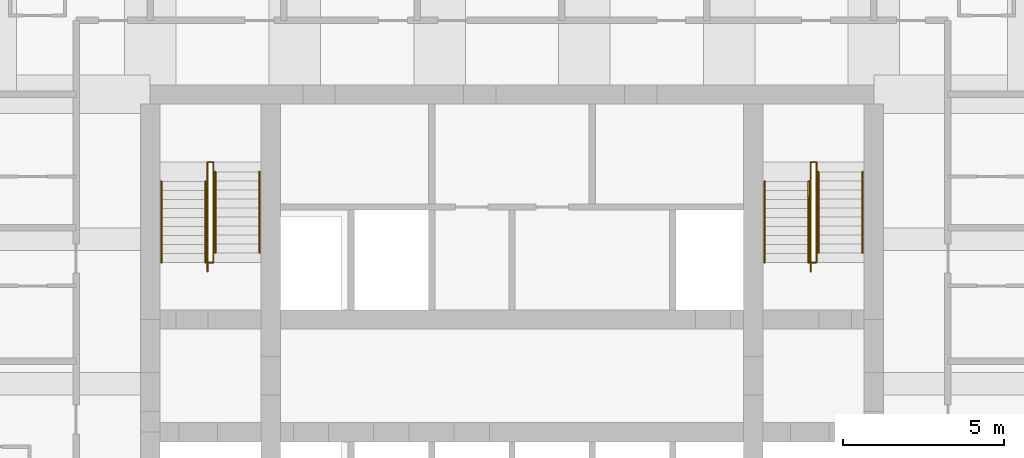
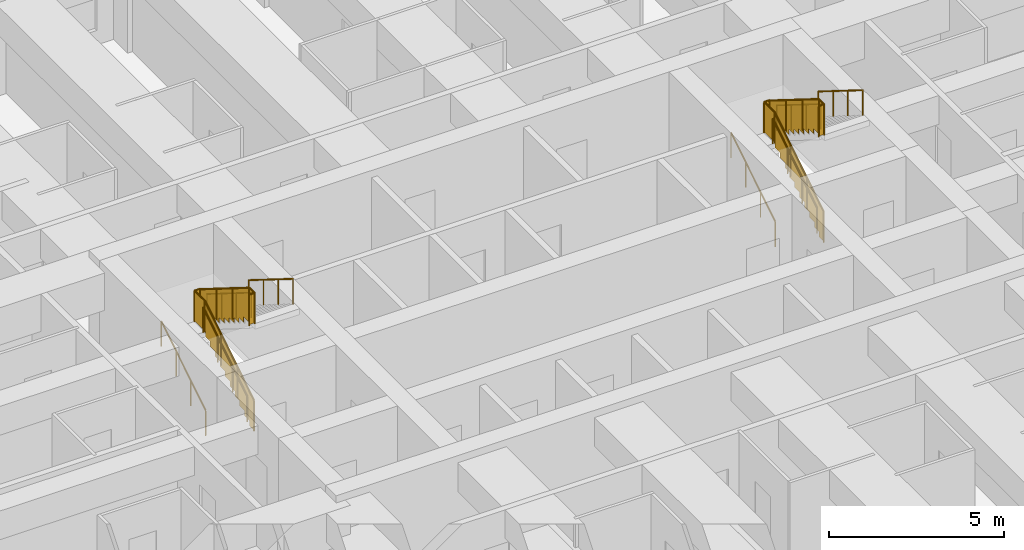
# One storey, part 8 of 8: 12 railings.
"""IFC4 building model written with IfcOpenShell, lengths in metres."""

from ifc_helpers import new_model, si_unit, direction, frame, origin, origin_2d, place, context, subcontext, project, spatial, polyline, circle, outline, extrude, material, type_object, element, save


model = new_model("IFC4")

# Units and contexts
model_context = context("Model", 3, precision=1e-05, world=origin(), true_north=direction((0.0, 1.0)))
body_context = subcontext(model_context, "Body", "Model", "MODEL_VIEW")
ifc_project = project(units=[si_unit("LENGTHUNIT", "METRE"), si_unit("AREAUNIT", "SQUARE_METRE"), si_unit("VOLUMEUNIT", "CUBIC_METRE"), si_unit("PLANEANGLEUNIT", "RADIAN"), si_unit("MASSUNIT", "GRAM", prefix="KILO")], contexts=[model_context])

# Site, building, storey
site_placement = place(None, origin())
site = spatial("IfcSite", under=ifc_project, at=site_placement, CompositionType="ELEMENT")
building_placement = place(site_placement, origin())
building = spatial("IfcBuilding", under=site, at=building_placement, Name="Kilele Tower Hotel", CompositionType="ELEMENT")
storey_placement = place(building_placement, frame((0.0, 0.0, 40.199951171875)))
storey = spatial("IfcBuildingStorey", under=building, at=storey_placement, Name="L08", CompositionType="ELEMENT", Elevation=40.199951171875)

# Railings
ifc_material_1 = material(Name="Steel handrail", Category="steel")
railing_type_1 = type_object("IfcRailingType", Name="Handrail 900", PredefinedType="HANDRAIL", material=ifc_material_1)
for number, where, name in (
    (1, (13.85009765625, 21.77490234375, 0.175048828125), "Handrail ST1 flight 1"),
    (2, (15.22509765625, 21.77490234375, 0.175048828125), "Handrail ST1 flight 1"),
):
    element("IfcRailing", number, at=place(storey_placement, frame(where)), inside=storey, type_object=railing_type_1, Name=name, PredefinedType="HANDRAIL", context=body_context, shape_type="SweptSolid", body=[
        extrude(circle(Radius=0.02490234375, at=origin_2d()), frame((0.0, 0.0, 0.875), z_axis=(0.0, 0.848007534815, 0.529984170421), x_axis=(-1.0, 0.0, 0.0)), (0.0, 0.0, 1.0), 2.9716796875),
        extrude(circle(Radius=0.02001953125, at=origin_2d()), origin(), (0.0, 0.0, 1.0), 0.849853515625),
        extrude(circle(Radius=0.02001953125, at=origin_2d()), frame((0.0, 0.840087890625, 0.52490234375)), (0.0, 0.0, 1.0), 0.849853515625),
        extrude(circle(Radius=0.02001953125, at=origin_2d()), frame((0.0, 1.679931640625, 1.050048828125)), (0.0, 0.0, 1.0), 0.849853515625),
        extrude(circle(Radius=0.02001953125, at=origin_2d()), frame((0.0, 2.52001953125, 1.574951171875)), (0.0, 0.0, 1.0), 0.849853515625),
    ])
for number, where, name in (
    (3, (15.52490234375, 24.594970703125, 1.925048828125), "Handrail ST1 flight 2"),
    (4, (16.89990234375, 24.594970703125, 1.925048828125), "Handrail ST1 flight 2"),
):
    element("IfcRailing", number, at=place(storey_placement, frame(where)), inside=storey, type_object=railing_type_1, Name=name, PredefinedType="HANDRAIL", context=body_context, shape_type="SweptSolid", body=[
        extrude(circle(Radius=0.02490234375, at=origin_2d()), frame((0.0, 0.0, 0.875), z_axis=(0.0, -0.848007534815, 0.529984170421), x_axis=(1.0, 0.0, 0.0)), (0.0, 0.0, 1.0), 2.9716796875),
        extrude(circle(Radius=0.02001953125, at=origin_2d()), origin(), (0.0, 0.0, 1.0), 0.849853515625),
        extrude(circle(Radius=0.02001953125, at=origin_2d()), frame((0.0, -0.840087890625, 0.52490234375)), (0.0, 0.0, 1.0), 0.849853515625),
        extrude(circle(Radius=0.02001953125, at=origin_2d()), frame((0.0, -1.679931640625, 1.050048828125)), (0.0, 0.0, 1.0), 0.849853515625),
        extrude(circle(Radius=0.02001953125, at=origin_2d()), frame((0.0, -2.52001953125, 1.574951171875)), (0.0, 0.0, 1.0), 0.849853515625),
    ])
for number, where, name in (
    (5, (32.60009765625, 21.77490234375, 0.175048828125), "Handrail ST2 flight 1"),
    (6, (33.97509765625, 21.77490234375, 0.175048828125), "Handrail ST2 flight 1"),
):
    element("IfcRailing", number, at=place(storey_placement, frame(where)), inside=storey, type_object=railing_type_1, Name=name, PredefinedType="HANDRAIL", context=body_context, shape_type="SweptSolid", body=[
        extrude(circle(Radius=0.02490234375, at=origin_2d()), frame((0.0, 0.0, 0.875), z_axis=(0.0, 0.848007534815, 0.529984170421), x_axis=(-1.0, 0.0, 0.0)), (0.0, 0.0, 1.0), 2.9716796875),
        extrude(circle(Radius=0.02001953125, at=origin_2d()), origin(), (0.0, 0.0, 1.0), 0.849853515625),
        extrude(circle(Radius=0.02001953125, at=origin_2d()), frame((0.0, 0.840087890625, 0.52490234375)), (0.0, 0.0, 1.0), 0.849853515625),
        extrude(circle(Radius=0.02001953125, at=origin_2d()), frame((0.0, 1.679931640625, 1.050048828125)), (0.0, 0.0, 1.0), 0.849853515625),
        extrude(circle(Radius=0.02001953125, at=origin_2d()), frame((0.0, 2.52001953125, 1.574951171875)), (0.0, 0.0, 1.0), 0.849853515625),
    ])
for number, where, name in (
    (7, (34.27490234375, 24.594970703125, 1.925048828125), "Handrail ST2 flight 2"),
    (8, (35.64990234375, 24.594970703125, 1.925048828125), "Handrail ST2 flight 2"),
):
    element("IfcRailing", number, at=place(storey_placement, frame(where)), inside=storey, type_object=railing_type_1, Name=name, PredefinedType="HANDRAIL", context=body_context, shape_type="SweptSolid", body=[
        extrude(circle(Radius=0.02490234375, at=origin_2d()), frame((0.0, 0.0, 0.875), z_axis=(0.0, -0.848007534815, 0.529984170421), x_axis=(1.0, 0.0, 0.0)), (0.0, 0.0, 1.0), 2.9716796875),
        extrude(circle(Radius=0.02001953125, at=origin_2d()), origin(), (0.0, 0.0, 1.0), 0.849853515625),
        extrude(circle(Radius=0.02001953125, at=origin_2d()), frame((0.0, -0.840087890625, 0.52490234375)), (0.0, 0.0, 1.0), 0.849853515625),
        extrude(circle(Radius=0.02001953125, at=origin_2d()), frame((0.0, -1.679931640625, 1.050048828125)), (0.0, 0.0, 1.0), 0.849853515625),
        extrude(circle(Radius=0.02001953125, at=origin_2d()), frame((0.0, -2.52001953125, 1.574951171875)), (0.0, 0.0, 1.0), 0.849853515625),
    ])
ifc_material_2 = material(Name="Steel guard", Category="steel")
railing_type_2 = type_object("IfcRailingType", Name="Stair guard 1100", PredefinedType="GUARDRAIL", material=ifc_material_2)
railing_1_placement = place(storey_placement, frame((15.284912109375, 21.4951171875, 0.0)))
element("IfcRailing", 9, at=railing_1_placement, inside=storey, type_object=railing_type_2, Name="Stair well guard ST1 flight 1", PredefinedType="GUARDRAIL", context=body_context, shape_type="SweptSolid", body=[
    extrude(circle(Radius=0.02490234375, at=origin_2d()), frame((0.0, 0.0, 1.0751953125), z_axis=(0.0, 0.847981687118, 0.530025526095), x_axis=(-1.0, 0.0, 0.0)), (0.0, 0.0, 1.0), 3.3017578125),
    extrude(circle(Radius=0.02490234375, at=origin_2d()), frame((0.0, 2.7998046875, 2.8251953125), z_axis=(0.0, 1.0, 0.0), x_axis=(-1.0, 0.0, 0.0)), (0.0, 0.0, 1.0), 0.60009765625),
    extrude(circle(Radius=0.02490234375, at=origin_2d()), frame((0.0, 3.39990234375, 2.8251953125), z_axis=(1.0, 0.0, 0.0), x_axis=(0.0, 1.0, 0.0)), (0.0, 0.0, 1.0), 0.18017578125),
    extrude(circle(Radius=0.02490234375, at=origin_2d()), origin(), (0.0, 0.0, 1.0), 1.050048828125),
    extrude(circle(Radius=0.02490234375, at=origin_2d()), frame((0.0, 0.933349609375, 0.583251953125)), (0.0, 0.0, 1.0), 1.050048828125),
    extrude(circle(Radius=0.02490234375, at=origin_2d()), frame((0.0, 1.866455078125, 1.166748046875)), (0.0, 0.0, 1.0), 1.050048828125),
    extrude(circle(Radius=0.02490234375, at=origin_2d()), frame((0.0, 2.7998046875, 1.75)), (0.0, 0.0, 1.0), 1.050048828125),
    extrude(circle(Radius=0.02490234375, at=origin_2d()), frame((0.0, 3.39990234375, 1.75)), (0.0, 0.0, 1.0), 1.050048828125),
    extrude(circle(Radius=0.02490234375, at=origin_2d()), frame((0.18017578125, 3.39990234375, 1.75)), (0.0, 0.0, 1.0), 1.050048828125),
    extrude(outline(polyline([(0.012451171875, 0.030029296875), (0.25, 0.030029296875), (0.25, 0.205078125), (0.530029296875, 0.205078125), (0.530029296875, 0.380126953125), (0.809814453125, 0.380126953125), (0.809814453125, 0.554931640625), (1.08984375, 0.554931640625), (1.08984375, 0.72998046875), (1.369873046875, 0.72998046875), (1.369873046875, 0.905029296875), (1.64990234375, 0.905029296875), (1.64990234375, 1.080078125), (1.929931640625, 1.080078125), (1.929931640625, 1.255126953125), (2.209716796875, 1.255126953125), (2.209716796875, 1.429931640625), (2.48974609375, 1.429931640625), (2.48974609375, 1.60498046875), (2.769775390625, 1.60498046875), (2.769775390625, 1.780029296875), (2.787353515625, 1.780029296875), (2.787353515625, 2.787841796875), (0.012451171875, 1.053466796875), (0.012451171875, 0.030029296875)])), frame((-0.005859375, 0.0, 0.0), z_axis=(1.0, 0.0, 0.0), x_axis=(0.0, 1.0, 0.0)), (0.0, 0.0, 1.0), 0.011962890625),
    extrude(outline(polyline([(0.012451171875, 0.030029296875), (0.587646484375, 0.030029296875), (0.587646484375, 1.050048828125), (0.012451171875, 1.050048828125), (0.012451171875, 0.030029296875)])), frame((-0.005859375, 2.7998046875, 1.75), z_axis=(1.0, 0.0, 0.0), x_axis=(0.0, 1.0, 0.0)), (0.0, 0.0, 1.0), 0.011962890625),
    extrude(outline(polyline([(0.012451171875, 0.030029296875), (0.18017578125, 0.030029296875), (0.18017578125, 1.050048828125), (0.012451171875, 1.050048828125), (0.012451171875, 0.030029296875)])), frame((0.0, 3.40576171875, 1.75), z_axis=(0.0, -1.0, 0.0), x_axis=(1.0, 0.0, 0.0)), (0.0, 0.0, 1.0), 0.011962890625),
])
railing_2_placement = place(storey_placement, frame((15.465087890625, 24.89501953125, 1.75)))
element("IfcRailing", 10, at=railing_2_placement, inside=storey, type_object=railing_type_2, Name="Stair well guard ST1 flight 2", PredefinedType="GUARDRAIL", context=body_context, shape_type="SweptSolid", body=[
    extrude(circle(Radius=0.02490234375, at=origin_2d()), frame((0.0, 0.0, 1.0751953125), z_axis=(0.0, -1.0, 0.0), x_axis=(1.0, 0.0, 0.0)), (0.0, 0.0, 1.0), 0.02001953125),
    extrude(circle(Radius=0.02490234375, at=origin_2d()), frame((0.0, -0.02001953125, 1.0751953125), z_axis=(0.0, -0.848002457836, 0.529992293815), x_axis=(1.0, 0.0, 0.0)), (0.0, 0.0, 1.0), 3.302001953125),
    extrude(circle(Radius=0.02490234375, at=origin_2d()), frame((0.0, -2.820068359375, 2.8251953125), z_axis=(0.0, -1.0, 0.0), x_axis=(1.0, 0.0, 0.0)), (0.0, 0.0, 1.0), 0.300048828125),
    extrude(circle(Radius=0.02490234375, at=origin_2d()), frame((0.0, -3.1201171875, 2.8251953125), z_axis=(-1.0, 0.0, 0.0), x_axis=(0.0, -1.0, 0.0)), (0.0, 0.0, 1.0), 0.18017578125),
    extrude(circle(Radius=0.02490234375, at=origin_2d()), origin(), (0.0, 0.0, 1.0), 1.050048828125),
    extrude(circle(Radius=0.02490234375, at=origin_2d()), frame((0.0, -0.02001953125, 0.0)), (0.0, 0.0, 1.0), 1.050048828125),
    extrude(circle(Radius=0.02490234375, at=origin_2d()), frame((0.0, -0.953369140625, 0.583251953125)), (0.0, 0.0, 1.0), 1.050048828125),
    extrude(circle(Radius=0.02490234375, at=origin_2d()), frame((0.0, -1.88671875, 1.166748046875)), (0.0, 0.0, 1.0), 1.050048828125),
    extrude(circle(Radius=0.02490234375, at=origin_2d()), frame((0.0, -2.820068359375, 1.75)), (0.0, 0.0, 1.0), 1.050048828125),
    extrude(circle(Radius=0.02490234375, at=origin_2d()), frame((0.0, -3.1201171875, 1.75)), (0.0, 0.0, 1.0), 1.050048828125),
    extrude(circle(Radius=0.02490234375, at=origin_2d()), frame((-0.18017578125, -3.1201171875, 1.75)), (0.0, 0.0, 1.0), 1.050048828125),
    extrude(outline(polyline([(0.012451171875, 0.030029296875), (0.25, 0.030029296875), (0.25, 0.205078125), (0.530029296875, 0.205078125), (0.530029296875, 0.380126953125), (0.81005859375, 0.380126953125), (0.81005859375, 0.554931640625), (1.090087890625, 0.554931640625), (1.090087890625, 0.72998046875), (1.3701171875, 0.72998046875), (1.3701171875, 0.905029296875), (1.64990234375, 0.905029296875), (1.64990234375, 1.080078125), (1.929931640625, 1.080078125), (1.929931640625, 1.255126953125), (2.2099609375, 1.255126953125), (2.2099609375, 1.429931640625), (2.489990234375, 1.429931640625), (2.489990234375, 1.60498046875), (2.77001953125, 1.60498046875), (2.77001953125, 1.780029296875), (2.78759765625, 1.780029296875), (2.78759765625, 2.787841796875), (0.012451171875, 1.053466796875), (0.012451171875, 0.030029296875)])), frame((0.005859375, -0.02001953125, 0.0), z_axis=(-1.0, 0.0, 0.0), x_axis=(0.0, -1.0, 0.0)), (0.0, 0.0, 1.0), 0.011962890625),
    extrude(outline(polyline([(0.012451171875, 0.030029296875), (0.28759765625, 0.030029296875), (0.28759765625, 1.050048828125), (0.012451171875, 1.050048828125), (0.012451171875, 0.030029296875)])), frame((0.005859375, -2.820068359375, 1.75), z_axis=(-1.0, 0.0, 0.0), x_axis=(0.0, -1.0, 0.0)), (0.0, 0.0, 1.0), 0.011962890625),
    extrude(outline(polyline([(0.012451171875, 0.030029296875), (0.18017578125, 0.030029296875), (0.18017578125, 1.050048828125), (0.012451171875, 1.050048828125), (0.012451171875, 0.030029296875)])), frame((0.0, -3.1259765625, 1.75), z_axis=(0.0, 1.0, 0.0), x_axis=(-1.0, 0.0, 0.0)), (0.0, 0.0, 1.0), 0.011962890625),
])
railing_3_placement = place(storey_placement, frame((34.034912109375, 21.4951171875, 0.0)))
element("IfcRailing", 11, at=railing_3_placement, inside=storey, type_object=railing_type_2, Name="Stair well guard ST2 flight 1", PredefinedType="GUARDRAIL", context=body_context, shape_type="SweptSolid", body=[
    extrude(circle(Radius=0.02490234375, at=origin_2d()), frame((0.0, 0.0, 1.0751953125), z_axis=(0.0, 0.847981687118, 0.530025526095), x_axis=(-1.0, 0.0, 0.0)), (0.0, 0.0, 1.0), 3.3017578125),
    extrude(circle(Radius=0.02490234375, at=origin_2d()), frame((0.0, 2.7998046875, 2.8251953125), z_axis=(0.0, 1.0, 0.0), x_axis=(-1.0, 0.0, 0.0)), (0.0, 0.0, 1.0), 0.60009765625),
    extrude(circle(Radius=0.02490234375, at=origin_2d()), frame((0.0, 3.39990234375, 2.8251953125), z_axis=(1.0, 0.0, 0.0), x_axis=(0.0, 1.0, 0.0)), (0.0, 0.0, 1.0), 0.18017578125),
    extrude(circle(Radius=0.02490234375, at=origin_2d()), origin(), (0.0, 0.0, 1.0), 1.050048828125),
    extrude(circle(Radius=0.02490234375, at=origin_2d()), frame((0.0, 0.933349609375, 0.583251953125)), (0.0, 0.0, 1.0), 1.050048828125),
    extrude(circle(Radius=0.02490234375, at=origin_2d()), frame((0.0, 1.866455078125, 1.166748046875)), (0.0, 0.0, 1.0), 1.050048828125),
    extrude(circle(Radius=0.02490234375, at=origin_2d()), frame((0.0, 2.7998046875, 1.75)), (0.0, 0.0, 1.0), 1.050048828125),
    extrude(circle(Radius=0.02490234375, at=origin_2d()), frame((0.0, 3.39990234375, 1.75)), (0.0, 0.0, 1.0), 1.050048828125),
    extrude(circle(Radius=0.02490234375, at=origin_2d()), frame((0.18017578125, 3.39990234375, 1.75)), (0.0, 0.0, 1.0), 1.050048828125),
    extrude(outline(polyline([(0.012451171875, 0.030029296875), (0.25, 0.030029296875), (0.25, 0.205078125), (0.530029296875, 0.205078125), (0.530029296875, 0.380126953125), (0.809814453125, 0.380126953125), (0.809814453125, 0.554931640625), (1.08984375, 0.554931640625), (1.08984375, 0.72998046875), (1.369873046875, 0.72998046875), (1.369873046875, 0.905029296875), (1.64990234375, 0.905029296875), (1.64990234375, 1.080078125), (1.929931640625, 1.080078125), (1.929931640625, 1.255126953125), (2.209716796875, 1.255126953125), (2.209716796875, 1.429931640625), (2.48974609375, 1.429931640625), (2.48974609375, 1.60498046875), (2.769775390625, 1.60498046875), (2.769775390625, 1.780029296875), (2.787353515625, 1.780029296875), (2.787353515625, 2.787841796875), (0.012451171875, 1.053466796875), (0.012451171875, 0.030029296875)])), frame((-0.005859375, 0.0, 0.0), z_axis=(1.0, 0.0, 0.0), x_axis=(0.0, 1.0, 0.0)), (0.0, 0.0, 1.0), 0.011962890625),
    extrude(outline(polyline([(0.012451171875, 0.030029296875), (0.587646484375, 0.030029296875), (0.587646484375, 1.050048828125), (0.012451171875, 1.050048828125), (0.012451171875, 0.030029296875)])), frame((-0.005859375, 2.7998046875, 1.75), z_axis=(1.0, 0.0, 0.0), x_axis=(0.0, 1.0, 0.0)), (0.0, 0.0, 1.0), 0.011962890625),
    extrude(outline(polyline([(0.012451171875, 0.030029296875), (0.18017578125, 0.030029296875), (0.18017578125, 1.050048828125), (0.012451171875, 1.050048828125), (0.012451171875, 0.030029296875)])), frame((0.0, 3.40576171875, 1.75), z_axis=(0.0, -1.0, 0.0), x_axis=(1.0, 0.0, 0.0)), (0.0, 0.0, 1.0), 0.011962890625),
])
railing_4_placement = place(storey_placement, frame((34.215087890625, 24.89501953125, 1.75)))
element("IfcRailing", 12, at=railing_4_placement, inside=storey, type_object=railing_type_2, Name="Stair well guard ST2 flight 2", PredefinedType="GUARDRAIL", context=body_context, shape_type="SweptSolid", body=[
    extrude(circle(Radius=0.02490234375, at=origin_2d()), frame((0.0, 0.0, 1.0751953125), z_axis=(0.0, -1.0, 0.0), x_axis=(1.0, 0.0, 0.0)), (0.0, 0.0, 1.0), 0.02001953125),
    extrude(circle(Radius=0.02490234375, at=origin_2d()), frame((0.0, -0.02001953125, 1.0751953125), z_axis=(0.0, -0.848002457836, 0.529992293815), x_axis=(1.0, 0.0, 0.0)), (0.0, 0.0, 1.0), 3.302001953125),
    extrude(circle(Radius=0.02490234375, at=origin_2d()), frame((0.0, -2.820068359375, 2.8251953125), z_axis=(0.0, -1.0, 0.0), x_axis=(1.0, 0.0, 0.0)), (0.0, 0.0, 1.0), 0.300048828125),
    extrude(circle(Radius=0.02490234375, at=origin_2d()), frame((0.0, -3.1201171875, 2.8251953125), z_axis=(-1.0, 0.0, 0.0), x_axis=(0.0, -1.0, 0.0)), (0.0, 0.0, 1.0), 0.18017578125),
    extrude(circle(Radius=0.02490234375, at=origin_2d()), origin(), (0.0, 0.0, 1.0), 1.050048828125),
    extrude(circle(Radius=0.02490234375, at=origin_2d()), frame((0.0, -0.02001953125, 0.0)), (0.0, 0.0, 1.0), 1.050048828125),
    extrude(circle(Radius=0.02490234375, at=origin_2d()), frame((0.0, -0.953369140625, 0.583251953125)), (0.0, 0.0, 1.0), 1.050048828125),
    extrude(circle(Radius=0.02490234375, at=origin_2d()), frame((0.0, -1.88671875, 1.166748046875)), (0.0, 0.0, 1.0), 1.050048828125),
    extrude(circle(Radius=0.02490234375, at=origin_2d()), frame((0.0, -2.820068359375, 1.75)), (0.0, 0.0, 1.0), 1.050048828125),
    extrude(circle(Radius=0.02490234375, at=origin_2d()), frame((0.0, -3.1201171875, 1.75)), (0.0, 0.0, 1.0), 1.050048828125),
    extrude(circle(Radius=0.02490234375, at=origin_2d()), frame((-0.18017578125, -3.1201171875, 1.75)), (0.0, 0.0, 1.0), 1.050048828125),
    extrude(outline(polyline([(0.012451171875, 0.030029296875), (0.25, 0.030029296875), (0.25, 0.205078125), (0.530029296875, 0.205078125), (0.530029296875, 0.380126953125), (0.81005859375, 0.380126953125), (0.81005859375, 0.554931640625), (1.090087890625, 0.554931640625), (1.090087890625, 0.72998046875), (1.3701171875, 0.72998046875), (1.3701171875, 0.905029296875), (1.64990234375, 0.905029296875), (1.64990234375, 1.080078125), (1.929931640625, 1.080078125), (1.929931640625, 1.255126953125), (2.2099609375, 1.255126953125), (2.2099609375, 1.429931640625), (2.489990234375, 1.429931640625), (2.489990234375, 1.60498046875), (2.77001953125, 1.60498046875), (2.77001953125, 1.780029296875), (2.78759765625, 1.780029296875), (2.78759765625, 2.787841796875), (0.012451171875, 1.053466796875), (0.012451171875, 0.030029296875)])), frame((0.005859375, -0.02001953125, 0.0), z_axis=(-1.0, 0.0, 0.0), x_axis=(0.0, -1.0, 0.0)), (0.0, 0.0, 1.0), 0.011962890625),
    extrude(outline(polyline([(0.012451171875, 0.030029296875), (0.28759765625, 0.030029296875), (0.28759765625, 1.050048828125), (0.012451171875, 1.050048828125), (0.012451171875, 0.030029296875)])), frame((0.005859375, -2.820068359375, 1.75), z_axis=(-1.0, 0.0, 0.0), x_axis=(0.0, -1.0, 0.0)), (0.0, 0.0, 1.0), 0.011962890625),
    extrude(outline(polyline([(0.012451171875, 0.030029296875), (0.18017578125, 0.030029296875), (0.18017578125, 1.050048828125), (0.012451171875, 1.050048828125), (0.012451171875, 0.030029296875)])), frame((0.0, -3.1259765625, 1.75), z_axis=(0.0, 1.0, 0.0), x_axis=(-1.0, 0.0, 0.0)), (0.0, 0.0, 1.0), 0.011962890625),
])

save(model, "model.ifc")
